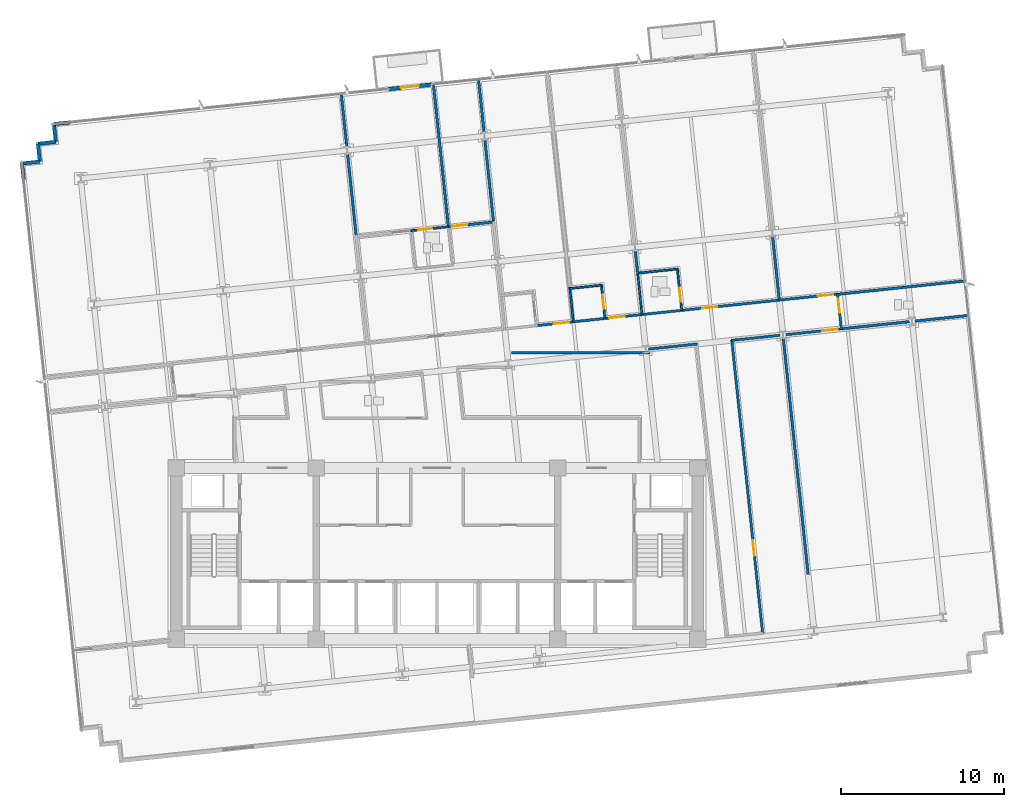
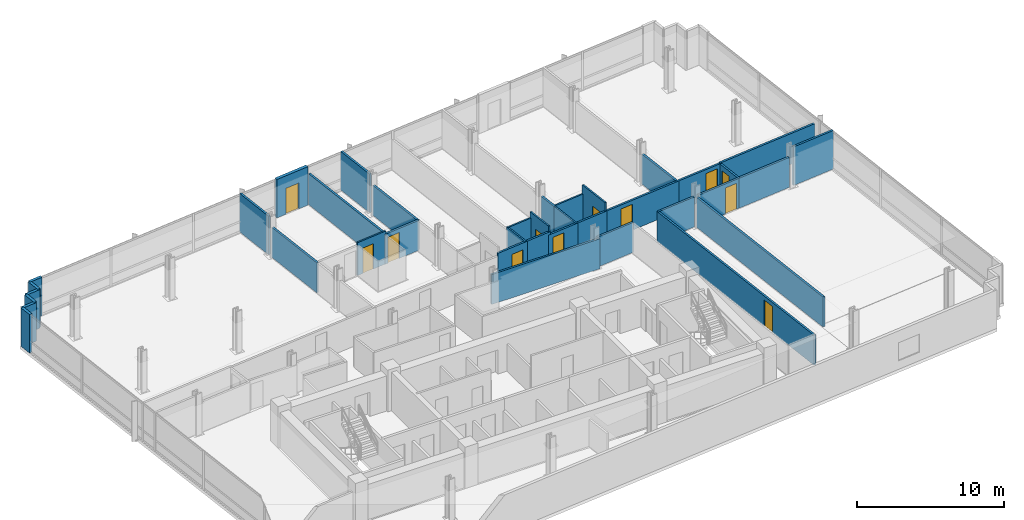
# One storey, part 12 of 17: 38 walls, 12 doors, 12 openings.
"""IFC4 building model written with IfcOpenShell, lengths in metres."""

from ifc_helpers import new_model, si_unit, direction, frame, frame_2d, origin, place, context, subcontext, project, spatial, rectangle, extrude, material, layer, layer_set, type_object, element, fill, save


model = new_model("IFC4")

# Units and contexts
model_context = context("Model", 3, precision=1e-05, world=origin(), true_north=direction((0.0, 1.0)))
body_context = subcontext(model_context, "Body", "Model", "MODEL_VIEW")
ifc_project = project(units=[si_unit("LENGTHUNIT", "METRE"), si_unit("AREAUNIT", "SQUARE_METRE"), si_unit("VOLUMEUNIT", "CUBIC_METRE"), si_unit("PLANEANGLEUNIT", "RADIAN"), si_unit("MASSUNIT", "GRAM", prefix="KILO")], contexts=[model_context])

# Site, building, storey
site_placement = place(None, origin())
site = spatial("IfcSite", under=ifc_project, at=site_placement, CompositionType="ELEMENT")
building_placement = place(site_placement, origin())
building = spatial("IfcBuilding", under=site, at=building_placement, Name="Solmavex Isthmus Hotel", CompositionType="ELEMENT")
storey_placement = place(building_placement, frame((0.0, 0.0, 93.89990234375)))
storey = spatial("IfcBuildingStorey", under=building, at=storey_placement, Name="L25", CompositionType="ELEMENT", Elevation=93.89990234375)

# Wall, opening, door
ifc_material_1 = material(Name="Precast Concrete C40/50", Category="concrete")
ifc_layer_1 = layer(ifc_material_1, 0.25)
ifc_layer_set_1 = layer_set([ifc_layer_1], Name="Precast Concrete C40/50")
wall_type_1 = type_object("IfcWallType", Name="EW-TWR-250", PredefinedType="STANDARD", material=ifc_layer_set_1)
wall_1_placement = place(storey_placement, frame((-2.95458984375, 20.744140625, 0.0), z_axis=(0.0, 0.0, 1.0), x_axis=(0.994523446942, 0.104513699976, 0.0)))
wall_1 = element("IfcWall", 1, at=wall_1_placement, inside=storey, type_object=wall_type_1, Name="Exterior Balcony Door Wall L25-2", PredefinedType="STANDARD", context=body_context, shape_type="SweptSolid", body=[
    extrude(rectangle(XDim=2.599853515625, YDim=0.239990234375, at=frame_2d((1.2998046875, 0.0))), origin(), (0.0, 0.0, 1.0), 3.190185546875),
])
opening_1_placement = place(wall_1_placement, frame((0.75, 0.0, 0.0)))
opening_1 = element("IfcOpeningElement", 2, at=opening_1_placement, cuts=wall_1, Name="Opening ED-02", PredefinedType="OPENING", context=body_context, shape_type="SweptSolid", body=[
    extrude(rectangle(XDim=1.10009765625, YDim=2.14990234375, at=frame_2d((0.550048828125, 1.074951171875))), frame((0.0, 0.1298828125, 0.0), z_axis=(0.0, -1.0, 0.0), x_axis=(1.0, 0.0, 0.0)), (0.0, 0.0, 1.0), 0.260009765625),
])
ifc_material_2 = material(Name="Aluminium alloy 6063-T6", Category="aluminium")
door_type_1 = type_object("IfcDoorType", Name="EDR-BALC-1100", OperationType="NOTDEFINED", PredefinedType="DOOR", material=ifc_material_2)
door_1_placement = place(opening_1_placement, origin())
door_1 = element("IfcDoor", 3, at=door_1_placement, inside=storey, type_object=door_type_1, Name="Balcony & Terrace Glazed Door L25-2", OperationType="SINGLE_SWING_RIGHT", OverallHeight=2.14990234375, OverallWidth=1.10009765625, PredefinedType="DOOR", context=body_context, shape_type="SweptSolid", body=[
    extrude(rectangle(XDim=1.10009765625, YDim=2.14990234375, at=frame_2d((0.550048828125, 1.074951171875))), frame((0.0, 0.02490234375, 0.0), z_axis=(0.0, -1.0, 0.0), x_axis=(1.0, 0.0, 0.0)), (0.0, 0.0, 1.0), 0.050048828125),
])
fill(opening_1, door_1)

# Walls
wall_2_placement = place(storey_placement, frame((-25.35400390625, 15.1923828125, 0.0), z_axis=(0.0, 0.0, 1.0), x_axis=(-0.104556418955, 0.99451895671, 0.0)))
element("IfcWall", 4, at=wall_2_placement, inside=storey, type_object=wall_type_1, Name="Serrated Corner Facade Panel L25-07", PredefinedType="STANDARD", context=body_context, shape_type="SweptSolid", body=[
    extrude(rectangle(XDim=0.989990234375, YDim=0.219970703125, at=frame_2d((0.4951171875, 0.0))), origin(), (0.0, 0.0, 1.0), 3.190185546875),
])
wall_3_placement = place(storey_placement, frame((-25.45751953125, 16.177001953125, 0.0), z_axis=(0.0, 0.0, 1.0), x_axis=(0.994521251134, 0.104534592565, 0.0)))
element("IfcWall", 5, at=wall_3_placement, inside=storey, type_object=wall_type_1, Name="Serrated Corner Facade Panel L25-08", PredefinedType="STANDARD", context=body_context, shape_type="SweptSolid", body=[
    extrude(rectangle(XDim=1.10009765625, YDim=0.219970703125, at=frame_2d((0.550048828125, 0.0))), origin(), (0.0, 0.0, 1.0), 3.190185546875),
])
wall_4_placement = place(storey_placement, frame((-24.363525390625, 16.2919921875, 0.0), z_axis=(0.0, 0.0, 1.0), x_axis=(-0.104557671117, 0.994518825066, 0.0)))
element("IfcWall", 6, at=wall_4_placement, inside=storey, type_object=wall_type_1, Name="Serrated Corner Facade Panel L25-09", PredefinedType="STANDARD", context=body_context, shape_type="SweptSolid", body=[
    extrude(rectangle(XDim=1.099853515625, YDim=0.219970703125, at=frame_2d((0.5498046875, 0.0))), origin(), (0.0, 0.0, 1.0), 3.190185546875),
])
for number, where, z_axis, x_axis, name in (
    (7, (-24.478515625, 17.3857421875, 0.0), (0.0, 0.0, 1.0), (0.994521251134, 0.104534592565, 0.0), "Serrated Corner Facade Panel L25-10"),
    (8, (-23.384521484375, 17.500732421875, 0.0), (0.0, 0.0, 1.0), (-0.104534592565, 0.994521251134, 0.0), "Serrated Corner Facade Panel L25-11"),
):
    element("IfcWall", number, at=place(storey_placement, frame(where, z_axis=z_axis, x_axis=x_axis)), inside=storey, type_object=wall_type_1, Name=name, PredefinedType="STANDARD", context=body_context, shape_type="SweptSolid", body=[
        extrude(rectangle(XDim=1.10009765625, YDim=0.219970703125, at=frame_2d((0.550048828125, 0.0))), origin(), (0.0, 0.0, 1.0), 3.190185546875),
    ])
wall_5_placement = place(storey_placement, frame((-23.49951171875, 18.5947265625, 0.0), z_axis=(0.0, 0.0, 1.0), x_axis=(0.99451895671, 0.104556418955, 0.0)))
element("IfcWall", 9, at=wall_5_placement, inside=storey, type_object=wall_type_1, Name="Serrated Corner Facade Panel L25-12", PredefinedType="STANDARD", context=body_context, shape_type="SweptSolid", body=[
    extrude(rectangle(XDim=0.989990234375, YDim=0.219970703125, at=frame_2d((0.4951171875, 0.0))), origin(), (0.0, 0.0, 1.0), 3.190185546875),
])
ifc_material_3 = material(Name="Gypsum plasterboard lining", Category="gypsum")
ifc_layer_2 = layer(ifc_material_3, 0.159912109375)
ifc_layer_set_2 = layer_set([ifc_layer_2], Name="Gypsum plasterboard lining")
wall_type_2 = type_object("IfcWallType", Name="IW-COMP-160", PredefinedType="PARTITIONING", material=ifc_layer_set_2)
wall_6_placement = place(storey_placement, frame((-5.875732421875, 20.477294921875, 0.0), z_axis=(0.0, 0.0, 1.0), x_axis=(0.10455555946, -0.99451904707, 0.0)))
element("IfcWall", 10, at=wall_6_placement, inside=storey, type_object=wall_type_2, Name="Interior Partition Wall W-L25-P035", PredefinedType="PARTITIONING", context=body_context, shape_type="SweptSolid", body=[
    extrude(rectangle(XDim=3.34375, YDim=0.159912109375, at=frame_2d((1.671875, 0.0))), origin(), (0.0, 0.0, 1.0), 3.190185546875),
])
wall_7_placement = place(storey_placement, frame((-5.4892578125, 16.80126953125, 0.0), z_axis=(0.0, 0.0, 1.0), x_axis=(0.104496874898, -0.994525214933, 0.0)))
element("IfcWall", 11, at=wall_7_placement, inside=storey, type_object=wall_type_2, Name="Interior Partition Wall W-L25-P036", PredefinedType="PARTITIONING", context=body_context, shape_type="SweptSolid", body=[
    extrude(rectangle(XDim=5.207763671875, YDim=0.159912109375, at=frame_2d((2.60400390625, 0.0))), origin(), (0.0, 0.0, 1.0), 2.4794921875),
])

# Wall, opening, door
wall_8_placement = place(storey_placement, frame((0.658447265625, 12.29345703125, 0.0), z_axis=(0.0, 0.0, 1.0), x_axis=(0.994520394476, 0.104542742316, 0.0)))
wall_8 = element("IfcWall", 12, at=wall_8_placement, inside=storey, type_object=wall_type_2, Name="Interior Partition Wall W-L25-P039", PredefinedType="PARTITIONING", context=body_context, shape_type="SweptSolid", body=[
    extrude(rectangle(XDim=2.863037109375, YDim=0.159912109375, at=frame_2d((1.431640625, 0.0))), origin(), (0.0, 0.0, 1.0), 2.4794921875),
])
opening_2_placement = place(wall_8_placement, frame((0.255126953125, 0.0, 0.0)))
opening_2 = element("IfcOpeningElement", 13, at=opening_2_placement, cuts=wall_8, Name="Opening ID-C095", PredefinedType="OPENING", context=body_context, shape_type="SweptSolid", body=[
    extrude(rectangle(XDim=0.949951171875, YDim=2.14990234375, at=frame_2d((0.47509765625, 1.074951171875))), frame((0.0, 0.08984375, 0.0), z_axis=(0.0, -1.0, 0.0), x_axis=(1.0, 0.0, 0.0)), (0.0, 0.0, 1.0), 0.179931640625),
])
ifc_material_4 = material(Name="Hardwood timber", Category="wood")
door_type_2 = type_object("IfcDoorType", Name="IDR-FD60-0950", OperationType="NOTDEFINED", PredefinedType="DOOR", material=ifc_material_4)
door_2_placement = place(opening_2_placement, origin())
door_2 = element("IfcDoor", 14, at=door_2_placement, inside=storey, type_object=door_type_2, Name="Ambassador Suite Sitting Lounge Door L25-04", OperationType="SINGLE_SWING_RIGHT", OverallHeight=2.14990234375, OverallWidth=0.949951171875, PredefinedType="DOOR", context=body_context, shape_type="SweptSolid", body=[
    extrude(rectangle(XDim=0.949951171875, YDim=2.14990234375, at=frame_2d((0.47509765625, 1.074951171875))), frame((0.0, 0.02490234375, 0.0), z_axis=(0.0, -1.0, 0.0), x_axis=(1.0, 0.0, 0.0)), (0.0, 0.0, 1.0), 0.050048828125),
])
fill(opening_2, door_2)

# Walls
wall_9_placement = place(storey_placement, frame((-0.211181640625, 20.951904296875, 0.0), z_axis=(0.0, 0.0, 1.0), x_axis=(0.104504516849, -0.994524411947, 0.0)))
element("IfcWall", 15, at=wall_9_placement, inside=storey, type_object=wall_type_2, Name="Interior Partition Wall W-L25-P046", PredefinedType="PARTITIONING", context=body_context, shape_type="SweptSolid", body=[
    extrude(rectangle(XDim=8.741943359375, YDim=0.159912109375, at=frame_2d((4.37109375, 0.0))), origin(), (0.0, 0.0, 1.0), 2.55322265625),
])
wall_10_placement = place(storey_placement, frame((2.5439453125, 21.3623046875, 0.0), z_axis=(0.0, 0.0, 1.0), x_axis=(0.10455555946, -0.99451904707, 0.0)))
element("IfcWall", 16, at=wall_10_placement, inside=storey, type_object=wall_type_2, Name="Interior Partition Wall W-L25-P048", PredefinedType="PARTITIONING", context=body_context, shape_type="SweptSolid", body=[
    extrude(rectangle(XDim=3.34375, YDim=0.159912109375, at=frame_2d((1.671875, 0.0))), origin(), (0.0, 0.0, 1.0), 3.190185546875),
])
wall_11_placement = place(storey_placement, frame((2.93017578125, 17.686279296875, 0.0), z_axis=(0.0, 0.0, 1.0), x_axis=(0.104542093026, -0.994520462728, 0.0)))
element("IfcWall", 17, at=wall_11_placement, inside=storey, type_object=wall_type_2, Name="Interior Partition Wall W-L25-P049", PredefinedType="PARTITIONING", context=body_context, shape_type="SweptSolid", body=[
    extrude(rectangle(XDim=5.165771484375, YDim=0.159912109375, at=frame_2d((2.5830078125, 0.0))), origin(), (0.0, 0.0, 1.0), 2.4794921875),
])
wall_12_placement = place(storey_placement, frame((12.16015625, 10.86181640625, 0.0), z_axis=(0.0, 0.0, 1.0), x_axis=(0.104549570968, -0.994519676633, 0.0)))
element("IfcWall", 18, at=wall_12_placement, inside=storey, type_object=wall_type_2, Name="Interior Partition Wall W-L25-P058", PredefinedType="PARTITIONING", context=body_context, shape_type="SweptSolid", body=[
    extrude(rectangle(XDim=1.50390625, YDim=0.159912109375, at=frame_2d((0.751953125, 0.0))), origin(), (0.0, 0.0, 1.0), 2.4794921875),
])
wall_13_placement = place(storey_placement, frame((20.579833984375, 11.74658203125, 0.0), z_axis=(0.0, 0.0, 1.0), x_axis=(0.104551732594, -0.994519449388, 0.0)))
element("IfcWall", 19, at=wall_13_placement, inside=storey, type_object=wall_type_2, Name="Interior Partition Wall W-L25-P064", PredefinedType="PARTITIONING", context=body_context, shape_type="SweptSolid", body=[
    extrude(rectangle(XDim=4.01171875, YDim=0.159912109375, at=frame_2d((2.005859375, 0.0))), origin(), (0.0, 0.0, 1.0), 2.4794921875),
])
wall_14_placement = place(storey_placement, frame((32.422119140625, 8.9775390625, 0.0), z_axis=(0.0, 0.0, 1.0), x_axis=(-0.994522987852, -0.104518068455, 0.0)))
element("IfcWall", 20, at=wall_14_placement, inside=storey, type_object=wall_type_2, Name="Interior Partition Wall W-L25-P065", PredefinedType="PARTITIONING", context=body_context, shape_type="SweptSolid", body=[
    extrude(rectangle(XDim=7.927978515625, YDim=0.159912109375, at=frame_2d((3.9638671875, 0.0))), origin(), (0.0, 0.0, 1.0), 2.55322265625),
])
wall_15_placement = place(storey_placement, frame((28.96875, 6.472900390625, 0.0), z_axis=(0.0, 0.0, 1.0), x_axis=(-0.994520616656, -0.104540628691, 0.0)))
element("IfcWall", 21, at=wall_15_placement, inside=storey, type_object=wall_type_2, Name="Interior Partition Wall W-L25-P066", PredefinedType="PARTITIONING", context=body_context, shape_type="SweptSolid", body=[
    extrude(rectangle(XDim=4.231689453125, YDim=0.159912109375, at=frame_2d((2.11572265625, 0.0))), origin(), (0.0, 0.0, 1.0), 2.4794921875),
])
wall_16_placement = place(storey_placement, frame((32.644775390625, 6.859130859375, 0.0), z_axis=(0.0, 0.0, 1.0), x_axis=(-0.994526636649, -0.10448334315, 0.0)))
element("IfcWall", 22, at=wall_16_placement, inside=storey, type_object=wall_type_2, Name="Interior Partition Wall W-L25-P067", PredefinedType="PARTITIONING", context=body_context, shape_type="SweptSolid", body=[
    extrude(rectangle(XDim=3.34375, YDim=0.159912109375, at=frame_2d((1.671875, 0.0))), origin(), (0.0, 0.0, 1.0), 3.190185546875),
])
wall_17_placement = place(storey_placement, frame((21.238037109375, 5.483154296875, 0.0), z_axis=(0.0, 0.0, 1.0), x_axis=(0.104536865283, -0.994521012245, 0.0)))
element("IfcWall", 23, at=wall_17_placement, inside=storey, type_object=wall_type_2, Name="Interior Partition Wall W-L25-P072", PredefinedType="PARTITIONING", context=body_context, shape_type="SweptSolid", body=[
    extrude(rectangle(XDim=14.60595703125, YDim=0.159912109375, at=frame_2d((7.302978515625, 0.0))), origin(), (0.0, 0.0, 1.0), 2.4794921875),
])

# Wall, opening, door
ifc_layer_3 = layer(ifc_material_3, 0.14990234375)
ifc_layer_set_3 = layer_set([ifc_layer_3], Name="Gypsum plasterboard lining")
wall_type_3 = type_object("IfcWallType", Name="IW-CORR-150", PredefinedType="PARTITIONING", material=ifc_layer_set_3)
wall_18_placement = place(storey_placement, frame((6.0107421875, 6.2216796875, 0.0), z_axis=(0.0, 0.0, 1.0), x_axis=(0.99452018747, 0.10454471156, 0.0)))
wall_18 = element("IfcWall", 24, at=wall_18_placement, inside=storey, type_object=wall_type_3, Name="Interior Partition Wall W-L25-P003", PredefinedType="PARTITIONING", context=body_context, shape_type="SweptSolid", body=[
    extrude(rectangle(XDim=2.44970703125, YDim=0.14990234375, at=frame_2d((1.224853515625, 0.0))), origin(), (0.0, 0.0, 1.0), 2.71826171875),
])
opening_3_placement = place(wall_18_placement, frame((1.14794921875, 0.0, 0.0)))
opening_3 = element("IfcOpeningElement", 25, at=opening_3_placement, cuts=wall_18, Name="Opening ID-C095", PredefinedType="OPENING", context=body_context, shape_type="SweptSolid", body=[
    extrude(rectangle(XDim=0.949951171875, YDim=2.14990234375, at=frame_2d((0.47509765625, 1.074951171875))), frame((0.0, 0.0849609375, 0.0), z_axis=(0.0, -1.0, 0.0), x_axis=(1.0, 0.0, 0.0)), (0.0, 0.0, 1.0), 0.169921875),
])
door_3_placement = place(opening_3_placement, origin())
door_3 = element("IfcDoor", 26, at=door_3_placement, inside=storey, type_object=door_type_2, Name="Club Guest Room Door L25-06", OperationType="SINGLE_SWING_RIGHT", OverallHeight=2.14990234375, OverallWidth=0.949951171875, PredefinedType="DOOR", context=body_context, shape_type="SweptSolid", body=[
    extrude(rectangle(XDim=0.949951171875, YDim=2.14990234375, at=frame_2d((0.47509765625, 1.074951171875))), frame((0.0, 0.02490234375, 0.0), z_axis=(0.0, -1.0, 0.0), x_axis=(1.0, 0.0, 0.0)), (0.0, 0.0, 1.0), 0.050048828125),
])
fill(opening_3, door_3)

wall_19_placement = place(storey_placement, frame((10.220458984375, 6.6640625, 0.0), z_axis=(0.0, 0.0, 1.0), x_axis=(0.994521276566, 0.104534350613, 0.0)))
wall_19 = element("IfcWall", 27, at=wall_19_placement, inside=storey, type_object=wall_type_3, Name="Interior Partition Wall W-L25-P005", PredefinedType="PARTITIONING", context=body_context, shape_type="SweptSolid", body=[
    extrude(rectangle(XDim=2.449951171875, YDim=0.14990234375, at=frame_2d((1.22509765625, 0.0))), origin(), (0.0, 0.0, 1.0), 2.4794921875),
])
opening_4_placement = place(wall_19_placement, frame((0.351806640625, 0.0, 0.0)))
opening_4 = element("IfcOpeningElement", 28, at=opening_4_placement, cuts=wall_19, Name="Opening ID-C095", PredefinedType="OPENING", context=body_context, shape_type="SweptSolid", body=[
    extrude(rectangle(XDim=0.949951171875, YDim=2.14990234375, at=frame_2d((0.47509765625, 1.074951171875))), frame((0.0, 0.0849609375, 0.0), z_axis=(0.0, -1.0, 0.0), x_axis=(1.0, 0.0, 0.0)), (0.0, 0.0, 1.0), 0.169921875),
])
door_4_placement = place(opening_4_placement, origin())
door_4 = element("IfcDoor", 29, at=door_4_placement, inside=storey, type_object=door_type_2, Name="Deluxe Guest Room Door L25-08", OperationType="SINGLE_SWING_RIGHT", OverallHeight=2.14990234375, OverallWidth=0.949951171875, PredefinedType="DOOR", context=body_context, shape_type="SweptSolid", body=[
    extrude(rectangle(XDim=0.949951171875, YDim=2.14990234375, at=frame_2d((0.47509765625, 1.074951171875))), frame((0.0, 0.02490234375, 0.0), z_axis=(0.0, -1.0, 0.0), x_axis=(1.0, 0.0, 0.0)), (0.0, 0.0, 1.0), 0.050048828125),
])
fill(opening_4, door_4)

# Wall
wall_20_placement = place(storey_placement, frame((8.283935546875, 6.460693359375, 0.0), z_axis=(0.0, 0.0, 1.0), x_axis=(0.994520650134, 0.1045403102, 0.0)))
element("IfcWall", 30, at=wall_20_placement, inside=storey, type_object=wall_type_3, Name="Interior Partition Wall W-L25-P006", PredefinedType="PARTITIONING", context=body_context, shape_type="SweptSolid", body=[
    extrude(rectangle(XDim=2.111083984375, YDim=0.14990234375, at=frame_2d((1.0556640625, 0.0))), origin(), (0.0, 0.0, 1.0), 2.71826171875),
])

# Wall, opening, door
wall_21_placement = place(storey_placement, frame((14.930419921875, 7.1591796875, 0.0), z_axis=(0.0, 0.0, 1.0), x_axis=(0.994521891766, 0.104528497542, 0.0)))
wall_21 = element("IfcWall", 31, at=wall_21_placement, inside=storey, type_object=wall_type_3, Name="Interior Partition Wall W-L25-P007", PredefinedType="PARTITIONING", context=body_context, shape_type="SweptSolid", body=[
    extrude(rectangle(XDim=6.18017578125, YDim=0.14990234375, at=frame_2d((3.090087890625, 0.0))), origin(), (0.0, 0.0, 1.0), 2.4794921875),
])
opening_5_placement = place(wall_21_placement, frame((1.333984375, 0.0, 0.0)))
opening_5 = element("IfcOpeningElement", 32, at=opening_5_placement, cuts=wall_21, Name="Opening ID-C095", PredefinedType="OPENING", context=body_context, shape_type="SweptSolid", body=[
    extrude(rectangle(XDim=0.949951171875, YDim=2.14990234375, at=frame_2d((0.47509765625, 1.074951171875))), frame((0.0, 0.0849609375, 0.0), z_axis=(0.0, -1.0, 0.0), x_axis=(1.0, 0.0, 0.0)), (0.0, 0.0, 1.0), 0.169921875),
])
door_5_placement = place(opening_5_placement, origin())
door_5 = element("IfcDoor", 33, at=door_5_placement, inside=storey, type_object=door_type_2, Name="Diplomatic Suite Door L25-10", OperationType="SINGLE_SWING_RIGHT", OverallHeight=2.14990234375, OverallWidth=0.949951171875, PredefinedType="DOOR", context=body_context, shape_type="SweptSolid", body=[
    extrude(rectangle(XDim=0.949951171875, YDim=2.14990234375, at=frame_2d((0.47509765625, 1.074951171875))), frame((0.0, 0.02490234375, 0.0), z_axis=(0.0, -1.0, 0.0), x_axis=(1.0, 0.0, 0.0)), (0.0, 0.0, 1.0), 0.050048828125),
])
fill(opening_5, door_5)

# Wall
wall_22_placement = place(storey_placement, frame((12.493896484375, 6.903076171875, 0.0), z_axis=(0.0, 0.0, 1.0), x_axis=(0.994523350694, 0.104514615837, 0.0)))
element("IfcWall", 34, at=wall_22_placement, inside=storey, type_object=wall_type_3, Name="Interior Partition Wall W-L25-P008", PredefinedType="PARTITIONING", context=body_context, shape_type="SweptSolid", body=[
    extrude(rectangle(XDim=2.614013671875, YDim=0.14990234375, at=frame_2d((1.30712890625, 0.0))), origin(), (0.0, 0.0, 1.0), 2.4794921875),
])

# Wall, opening, door
wall_23_placement = place(storey_placement, frame((20.913330078125, 7.7880859375, 0.0), z_axis=(0.0, 0.0, 1.0), x_axis=(0.994525920558, 0.104490159046, 0.0)))
wall_23 = element("IfcWall", 35, at=wall_23_placement, inside=storey, type_object=wall_type_3, Name="Interior Partition Wall W-L25-P009", PredefinedType="PARTITIONING", context=body_context, shape_type="SweptSolid", body=[
    extrude(rectangle(XDim=3.721923828125, YDim=0.14990234375, at=frame_2d((1.86083984375, 0.0))), origin(), (0.0, 0.0, 1.0), 2.4794921875),
])
opening_6_placement = place(wall_23_placement, frame((2.456787109375, 0.0, 0.0)))
opening_6 = element("IfcOpeningElement", 36, at=opening_6_placement, cuts=wall_23, Name="Opening ID-C095", PredefinedType="OPENING", context=body_context, shape_type="SweptSolid", body=[
    extrude(rectangle(XDim=0.949951171875, YDim=2.14990234375, at=frame_2d((0.47509765625, 1.074951171875))), frame((0.0, 0.0849609375, 0.0), z_axis=(0.0, -1.0, 0.0), x_axis=(1.0, 0.0, 0.0)), (0.0, 0.0, 1.0), 0.169921875),
])
door_6_placement = place(opening_6_placement, origin())
door_6 = element("IfcDoor", 37, at=door_6_placement, inside=storey, type_object=door_type_2, Name="Corporate Briefing Office Door L25-12", OperationType="SINGLE_SWING_RIGHT", OverallHeight=2.14990234375, OverallWidth=0.949951171875, PredefinedType="DOOR", context=body_context, shape_type="SweptSolid", body=[
    extrude(rectangle(XDim=0.949951171875, YDim=2.14990234375, at=frame_2d((0.47509765625, 1.074951171875))), frame((0.0, 0.02490234375, 0.0), z_axis=(0.0, -1.0, 0.0), x_axis=(1.0, 0.0, 0.0)), (0.0, 0.0, 1.0), 0.050048828125),
])
fill(opening_6, door_6)

wall_24_placement = place(storey_placement, frame((24.5732421875, 8.19287109375, 0.0), z_axis=(0.0, 0.0, 1.0), x_axis=(0.104500773718, -0.994524805267, 0.0)))
wall_24 = element("IfcWall", 38, at=wall_24_placement, inside=storey, type_object=wall_type_3, Name="Interior Partition Wall W-L25-P015", PredefinedType="PARTITIONING", context=body_context, shape_type="SweptSolid", body=[
    extrude(rectangle(XDim=2.210205078125, YDim=0.14990234375, at=frame_2d((1.10498046875, 0.0))), origin(), (0.0, 0.0, 1.0), 2.4794921875),
])
opening_7_placement = place(wall_24_placement, frame((0.322265625, 0.0, 0.0)))
opening_7 = element("IfcOpeningElement", 39, at=opening_7_placement, cuts=wall_24, Name="Opening ID-R085", PredefinedType="OPENING", context=body_context, shape_type="SweptSolid", body=[
    extrude(rectangle(XDim=0.85009765625, YDim=2.050048828125, at=frame_2d((0.425048828125, 1.02490234375))), frame((0.0, 0.0849609375, 0.0), z_axis=(0.0, -1.0, 0.0), x_axis=(1.0, 0.0, 0.0)), (0.0, 0.0, 1.0), 0.169921875),
])
ifc_material_5 = material(Name="Steel ASTM A500 Grade C", Category="steel")
door_type_3 = type_object("IfcDoorType", Name="IDR-FD60-0850", OperationType="NOTDEFINED", PredefinedType="DOOR", material=ifc_material_5)
door_7_placement = place(opening_7_placement, origin())
door_7 = element("IfcDoor", 40, at=door_7_placement, inside=storey, type_object=door_type_3, Name="Public Restroom WC Door L25-14", OperationType="SINGLE_SWING_RIGHT", OverallHeight=2.050048828125, OverallWidth=0.85009765625, PredefinedType="DOOR", context=body_context, shape_type="SweptSolid", body=[
    extrude(rectangle(XDim=0.85009765625, YDim=2.050048828125, at=frame_2d((0.425048828125, 1.02490234375))), frame((0.0, 0.02490234375, 0.0), z_axis=(0.0, -1.0, 0.0), x_axis=(1.0, 0.0, 0.0)), (0.0, 0.0, 1.0), 0.050048828125),
])
fill(opening_7, door_7)

# Wall
wall_25_placement = place(storey_placement, frame((21.04443359375, 5.639892578125, 0.0), z_axis=(0.0, 0.0, 1.0), x_axis=(-0.994527160177, -0.104478359817, 0.0)))
element("IfcWall", 41, at=wall_25_placement, inside=storey, type_object=wall_type_3, Name="Interior Partition Wall W-L25-P022", PredefinedType="PARTITIONING", context=body_context, shape_type="SweptSolid", body=[
    extrude(rectangle(XDim=3.016845703125, YDim=0.14990234375, at=frame_2d((1.50830078125, 0.0))), origin(), (0.0, 0.0, 1.0), 2.4794921875),
])

# Wall, opening, door
wall_26_placement = place(storey_placement, frame((18.079833984375, 5.36865234375, 0.0), z_axis=(0.0, 0.0, 1.0), x_axis=(0.104523559353, -0.994522410778, 0.0)))
wall_26 = element("IfcWall", 42, at=wall_26_placement, inside=storey, type_object=wall_type_3, Name="Interior Partition Wall W-L25-P023", PredefinedType="PARTITIONING", context=body_context, shape_type="SweptSolid", body=[
    extrude(rectangle(XDim=18.130126953125, YDim=0.14990234375, at=frame_2d((9.06494140625, 0.0))), origin(), (0.0, 0.0, 1.0), 2.4794921875),
])
opening_8_placement = place(wall_26_placement, frame((12.380615234375, 0.0, 0.0)))
opening_8 = element("IfcOpeningElement", 43, at=opening_8_placement, cuts=wall_26, Name="Opening ID-C095", PredefinedType="OPENING", context=body_context, shape_type="SweptSolid", body=[
    extrude(rectangle(XDim=0.949951171875, YDim=2.14990234375, at=frame_2d((0.47509765625, 1.074951171875))), frame((0.0, 0.0849609375, 0.0), z_axis=(0.0, -1.0, 0.0), x_axis=(1.0, 0.0, 0.0)), (0.0, 0.0, 1.0), 0.169921875),
])
door_8_placement = place(opening_8_placement, origin())
door_8 = element("IfcDoor", 44, at=door_8_placement, inside=storey, type_object=door_type_2, Name="Corporate Briefing Office Door L25-18", OperationType="SINGLE_SWING_RIGHT", OverallHeight=2.14990234375, OverallWidth=0.949951171875, PredefinedType="DOOR", context=body_context, shape_type="SweptSolid", body=[
    extrude(rectangle(XDim=0.949951171875, YDim=2.14990234375, at=frame_2d((0.47509765625, 1.074951171875))), frame((0.0, 0.02490234375, 0.0), z_axis=(0.0, -1.0, 0.0), x_axis=(1.0, 0.0, 0.0)), (0.0, 0.0, 1.0), 0.050048828125),
])
fill(opening_8, door_8)

# Walls
wall_27_placement = place(storey_placement, frame((15.9755859375, 5.107177734375, 0.0), z_axis=(0.0, 0.0, 1.0), x_axis=(-0.994518748051, -0.104558403652, 0.0)))
element("IfcWall", 45, at=wall_27_placement, inside=storey, type_object=wall_type_3, Name="Interior Partition Wall W-L25-P026", PredefinedType="PARTITIONING", context=body_context, shape_type="SweptSolid", body=[
    extrude(rectangle(XDim=3.016845703125, YDim=0.14990234375, at=frame_2d((1.50830078125, 0.0))), origin(), (0.0, 0.0, 1.0), 2.4794921875),
])
wall_28_placement = place(storey_placement, frame((13.05517578125, 4.558349609375, 0.0), z_axis=(0.0, 0.0, 1.0), x_axis=(-1.0, 0.0, 0.0)))
element("IfcWall", 46, at=wall_28_placement, inside=storey, type_object=wall_type_3, Name="Interior Partition Wall W-L25-P027", PredefinedType="PARTITIONING", context=body_context, shape_type="SweptSolid", body=[
    extrude(rectangle(XDim=8.49951171875, YDim=0.14990234375, at=frame_2d((4.249755859375, 0.0))), origin(), (0.0, 0.0, 1.0), 2.4794921875),
])

# Wall, opening, door
wall_29_placement = place(storey_placement, frame((24.83984375, 6.038818359375, 0.0), z_axis=(0.0, 0.0, 1.0), x_axis=(-0.994522047476, -0.104527016046, 0.0)))
wall_29 = element("IfcWall", 47, at=wall_29_placement, inside=storey, type_object=wall_type_3, Name="Interior Partition Wall W-L25-P032", PredefinedType="PARTITIONING", context=body_context, shape_type="SweptSolid", body=[
    extrude(rectangle(XDim=3.4638671875, YDim=0.14990234375, at=frame_2d((1.73193359375, 0.0))), origin(), (0.0, 0.0, 1.0), 2.4794921875),
])
opening_9_placement = place(wall_29_placement, frame((0.26220703125, 0.0, 0.0)))
opening_9 = element("IfcOpeningElement", 48, at=opening_9_placement, cuts=wall_29, Name="Opening ID-C095", PredefinedType="OPENING", context=body_context, shape_type="SweptSolid", body=[
    extrude(rectangle(XDim=0.949951171875, YDim=2.14990234375, at=frame_2d((0.47509765625, 1.074951171875))), frame((0.0, 0.0849609375, 0.0), z_axis=(0.0, -1.0, 0.0), x_axis=(1.0, 0.0, 0.0)), (0.0, 0.0, 1.0), 0.169921875),
])
door_9_placement = place(opening_9_placement, frame((0.949951171875, 0.0, 0.0), z_axis=(0.0, 0.0, 1.0), x_axis=(-1.0, 0.0, 0.0)))
door_9 = element("IfcDoor", 49, at=door_9_placement, inside=storey, type_object=door_type_2, Name="VIP Briefing Office Door L25-19", OperationType="SINGLE_SWING_LEFT", OverallHeight=2.14990234375, OverallWidth=0.949951171875, PredefinedType="DOOR", context=body_context, shape_type="SweptSolid", body=[
    extrude(rectangle(XDim=0.949951171875, YDim=2.14990234375, at=frame_2d((0.47509765625, 1.074951171875))), frame((0.0, 0.02490234375, 0.0), z_axis=(0.0, -1.0, 0.0), x_axis=(1.0, 0.0, 0.0)), (0.0, 0.0, 1.0), 0.050048828125),
])
fill(opening_9, door_9)

ifc_layer_4 = layer(ifc_material_3, 0.1201171875)
ifc_layer_set_4 = layer_set([ifc_layer_4], Name="Gypsum plasterboard lining")
wall_type_4 = type_object("IfcWallType", Name="IW-PART-120", PredefinedType="PARTITIONING", material=ifc_layer_set_4)
wall_30_placement = place(storey_placement, frame((0.738037109375, 12.3017578125, 0.0), z_axis=(0.0, 0.0, 1.0), x_axis=(-0.99452742736, -0.104475816474, 0.0)))
wall_30 = element("IfcWall", 50, at=wall_30_placement, inside=storey, type_object=wall_type_4, Name="Interior Partition Wall W-L25-P047", PredefinedType="PARTITIONING", context=body_context, shape_type="SweptSolid", body=[
    extrude(rectangle(XDim=2.371826171875, YDim=0.1201171875, at=frame_2d((1.18603515625, 0.0))), origin(), (0.0, 0.0, 1.0), 2.71826171875),
])
opening_10_placement = place(wall_30_placement, frame((1.0498046875, 0.0, 0.0)))
opening_10 = element("IfcOpeningElement", 51, at=opening_10_placement, cuts=wall_30, Name="Opening ID-U085", PredefinedType="OPENING", context=body_context, shape_type="SweptSolid", body=[
    extrude(rectangle(XDim=0.85009765625, YDim=2.10009765625, at=frame_2d((0.425048828125, 1.050048828125))), frame((0.0, 0.070068359375, 0.0), z_axis=(0.0, -1.0, 0.0), x_axis=(1.0, 0.0, 0.0)), (0.0, 0.0, 1.0), 0.14013671875),
])
door_type_4 = type_object("IfcDoorType", Name="IDR-UNR-0850", OperationType="NOTDEFINED", PredefinedType="DOOR", material=ifc_material_4)
door_10_placement = place(opening_10_placement, frame((0.85009765625, 0.0, 0.0), z_axis=(0.0, 0.0, 1.0), x_axis=(-1.0, 0.0, 0.0)))
door_10 = element("IfcDoor", 52, at=door_10_placement, inside=storey, type_object=door_type_4, Name="En-suite Bathroom Door L25-05", OperationType="SINGLE_SWING_LEFT", OverallHeight=2.10009765625, OverallWidth=0.85009765625, PredefinedType="DOOR", context=body_context, shape_type="SweptSolid", body=[
    extrude(rectangle(XDim=0.85009765625, YDim=2.10009765625, at=frame_2d((0.425048828125, 1.050048828125))), frame((0.0, 0.02490234375, 0.0), z_axis=(0.0, -1.0, 0.0), x_axis=(1.0, 0.0, 0.0)), (0.0, 0.0, 1.0), 0.050048828125),
])
fill(opening_10, door_10)

# Wall
wall_31_placement = place(storey_placement, frame((8.142822265625, 8.589599609375, 0.0), z_axis=(0.0, 0.0, 1.0), x_axis=(0.104421482951, -0.994533133635, 0.0)))
element("IfcWall", 53, at=wall_31_placement, inside=storey, type_object=wall_type_4, Name="Interior Partition Wall W-L25-P053", PredefinedType="PARTITIONING", context=body_context, shape_type="SweptSolid", body=[
    extrude(rectangle(XDim=2.172119140625, YDim=0.1201171875, at=frame_2d((1.0859375, 0.0))), origin(), (0.0, 0.0, 1.0), 2.71826171875),
])

# Wall, opening, door
wall_32_placement = place(storey_placement, frame((10.30615234375, 6.633056640625, 0.0), z_axis=(0.0, 0.0, 1.0), x_axis=(-0.104541575795, 0.994520517099, 0.0)))
wall_32 = element("IfcWall", 54, at=wall_32_placement, inside=storey, type_object=wall_type_4, Name="Interior Partition Wall W-L25-P054", PredefinedType="PARTITIONING", context=body_context, shape_type="SweptSolid", body=[
    extrude(rectangle(XDim=2.1298828125, YDim=0.1201171875, at=frame_2d((1.06494140625, 0.0))), origin(), (0.0, 0.0, 1.0), 3.190185546875),
])
opening_11_placement = place(wall_32_placement, frame((0.639892578125, 0.0, 0.0)))
opening_11 = element("IfcOpeningElement", 55, at=opening_11_placement, cuts=wall_32, Name="Opening ID-U085", PredefinedType="OPENING", context=body_context, shape_type="SweptSolid", body=[
    extrude(rectangle(XDim=0.85009765625, YDim=2.10009765625, at=frame_2d((0.425048828125, 1.050048828125))), frame((0.0, 0.070068359375, 0.0), z_axis=(0.0, -1.0, 0.0), x_axis=(1.0, 0.0, 0.0)), (0.0, 0.0, 1.0), 0.14013671875),
])
door_11_placement = place(opening_11_placement, origin())
door_11 = element("IfcDoor", 56, at=door_11_placement, inside=storey, type_object=door_type_4, Name="En-suite Bathroom Door L25-09", OperationType="SINGLE_SWING_LEFT", OverallHeight=2.10009765625, OverallWidth=0.85009765625, PredefinedType="DOOR", context=body_context, shape_type="SweptSolid", body=[
    extrude(rectangle(XDim=0.85009765625, YDim=2.10009765625, at=frame_2d((0.425048828125, 1.050048828125))), frame((0.0, 0.02490234375, 0.0), z_axis=(0.0, -1.0, 0.0), x_axis=(1.0, 0.0, 0.0)), (0.0, 0.0, 1.0), 0.050048828125),
])
fill(opening_11, door_11)

# Walls
wall_33_placement = place(storey_placement, frame((10.127685546875, 8.715576171875, 0.0), z_axis=(0.0, 0.0, 1.0), x_axis=(-0.994521279075, -0.104534326742, 0.0)))
element("IfcWall", 57, at=wall_33_placement, inside=storey, type_object=wall_type_4, Name="Interior Partition Wall W-L25-P055", PredefinedType="PARTITIONING", context=body_context, shape_type="SweptSolid", body=[
    extrude(rectangle(XDim=2.027099609375, YDim=0.1201171875, at=frame_2d((1.013671875, 0.0))), origin(), (0.0, 0.0, 1.0), 2.71826171875),
])
wall_34_placement = place(storey_placement, frame((12.30029296875, 9.529296875, 0.0), z_axis=(0.0, 0.0, 1.0), x_axis=(0.104523077253, -0.994522461447, 0.0)))
element("IfcWall", 58, at=wall_34_placement, inside=storey, type_object=wall_type_4, Name="Interior Partition Wall W-L25-P059", PredefinedType="PARTITIONING", context=body_context, shape_type="SweptSolid", body=[
    extrude(rectangle(XDim=2.672119140625, YDim=0.1201171875, at=frame_2d((1.3359375, 0.0))), origin(), (0.0, 0.0, 1.0), 2.4794921875),
])

# Wall, opening, door
wall_35_placement = place(storey_placement, frame((15.01611328125, 7.1279296875, 0.0), z_axis=(0.0, 0.0, 1.0), x_axis=(-0.104520496269, 0.994522732701, 0.0)))
wall_35 = element("IfcWall", 59, at=wall_35_placement, inside=storey, type_object=wall_type_4, Name="Interior Partition Wall W-L25-P060", PredefinedType="PARTITIONING", context=body_context, shape_type="SweptSolid", body=[
    extrude(rectangle(XDim=2.630126953125, YDim=0.1201171875, at=frame_2d((1.31494140625, 0.0))), origin(), (0.0, 0.0, 1.0), 3.190185546875),
])
opening_12_placement = place(wall_35_placement, frame((0.568603515625, 0.0, 0.0)))
opening_12 = element("IfcOpeningElement", 60, at=opening_12_placement, cuts=wall_35, Name="Opening ID-U085", PredefinedType="OPENING", context=body_context, shape_type="SweptSolid", body=[
    extrude(rectangle(XDim=0.85009765625, YDim=2.10009765625, at=frame_2d((0.425048828125, 1.050048828125))), frame((0.0, 0.070068359375, 0.0), z_axis=(0.0, -1.0, 0.0), x_axis=(1.0, 0.0, 0.0)), (0.0, 0.0, 1.0), 0.14013671875),
])
door_12_placement = place(opening_12_placement, frame((0.85009765625, 0.0, 0.0), z_axis=(0.0, 0.0, 1.0), x_axis=(-1.0, 0.0, 0.0)))
door_12 = element("IfcDoor", 61, at=door_12_placement, inside=storey, type_object=door_type_4, Name="En-suite Bathroom Door L25-11", OperationType="SINGLE_SWING_LEFT", OverallHeight=2.10009765625, OverallWidth=0.85009765625, PredefinedType="DOOR", context=body_context, shape_type="SweptSolid", body=[
    extrude(rectangle(XDim=0.85009765625, YDim=2.10009765625, at=frame_2d((0.425048828125, 1.050048828125))), frame((0.0, 0.02490234375, 0.0), z_axis=(0.0, -1.0, 0.0), x_axis=(1.0, 0.0, 0.0)), (0.0, 0.0, 1.0), 0.050048828125),
])
fill(opening_12, door_12)

# Wall
wall_36_placement = place(storey_placement, frame((14.78515625, 9.7080078125, 0.0), z_axis=(0.0, 0.0, 1.0), x_axis=(-0.994523944136, -0.104508968707, 0.0)))
element("IfcWall", 62, at=wall_36_placement, inside=storey, type_object=wall_type_4, Name="Interior Partition Wall W-L25-P061", PredefinedType="PARTITIONING", context=body_context, shape_type="SweptSolid", body=[
    extrude(rectangle(XDim=2.530029296875, YDim=0.1201171875, at=frame_2d((1.26513671875, 0.0))), origin(), (0.0, 0.0, 1.0), 2.4794921875),
])

save(model, "model.ifc")
